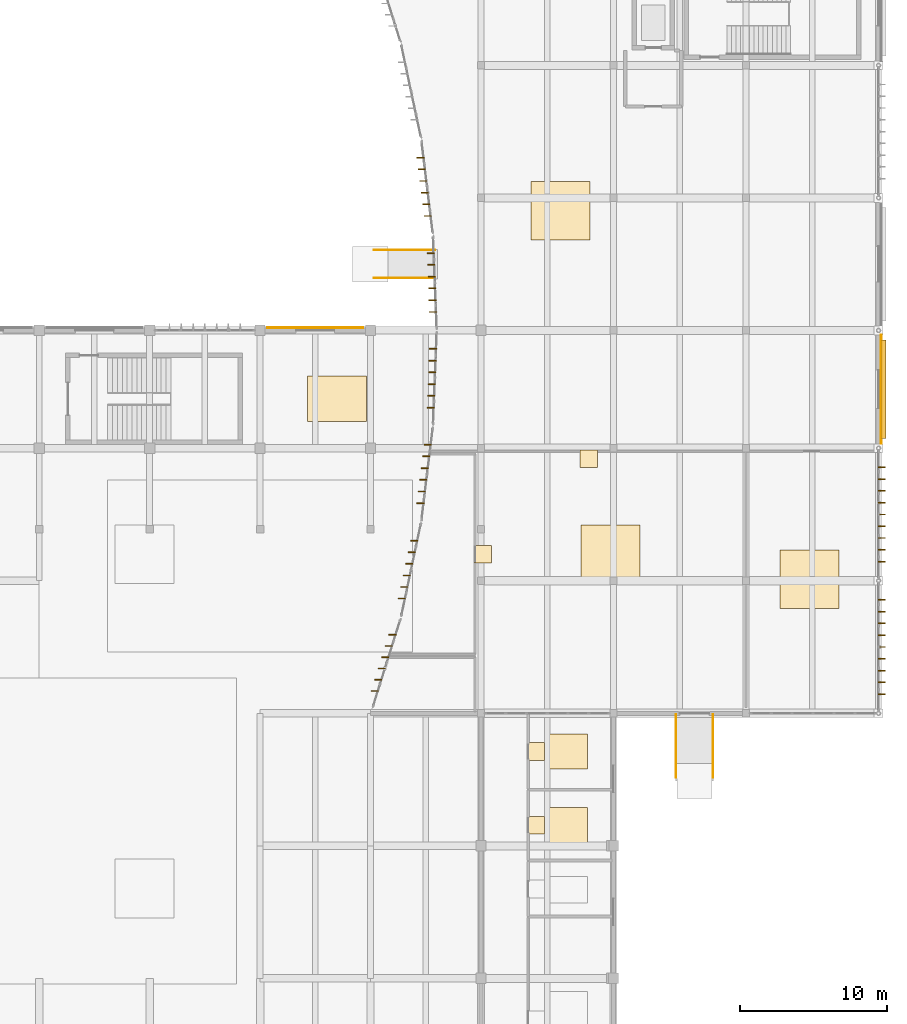
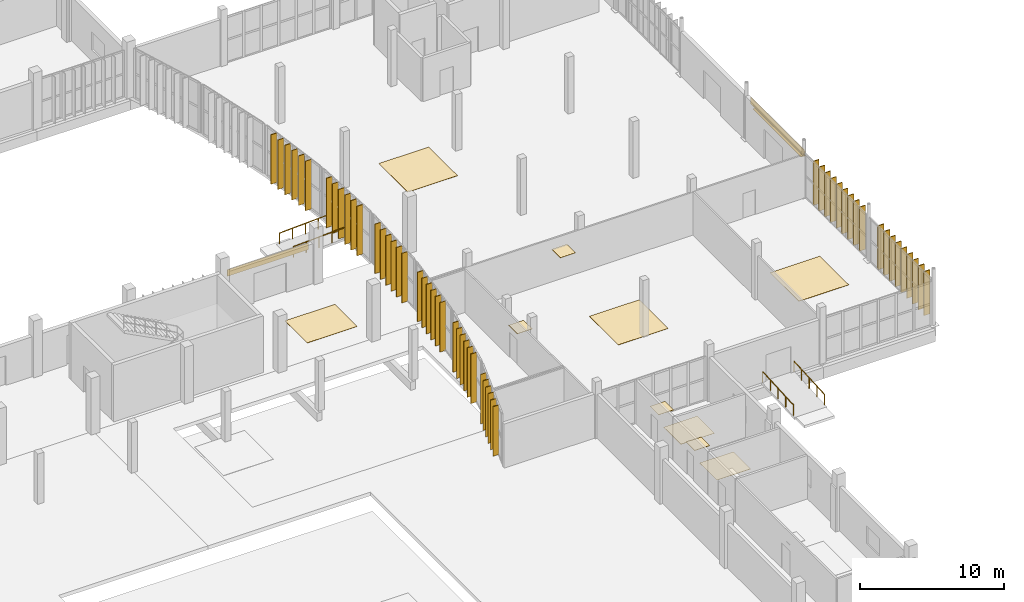
# One storey, part 69 of 72: 56 shading devices, 12 coverings, 4 railings.
"""IFC4 building model written with IfcOpenShell, lengths in metres."""

from ifc_helpers import new_model, si_unit, direction, frame, origin, origin_2d, place, context, subcontext, project, spatial, rectangle, circle, extrude, material, layer, layer_set, material_profile, profile_set, type_object, element, save


model = new_model("IFC4")

# Units and contexts
model_context = context("Model", 3, precision=1e-05, world=origin(), true_north=direction((0.0, 1.0)))
body_context = subcontext(model_context, "Body", "Model", "MODEL_VIEW")
ifc_project = project(units=[si_unit("LENGTHUNIT", "METRE"), si_unit("AREAUNIT", "SQUARE_METRE"), si_unit("VOLUMEUNIT", "CUBIC_METRE"), si_unit("PLANEANGLEUNIT", "RADIAN"), si_unit("MASSUNIT", "GRAM", prefix="KILO")], contexts=[model_context])

# Site, building, storey
site_placement = place(None, origin())
site = spatial("IfcSite", under=ifc_project, at=site_placement, CompositionType="ELEMENT")
building_placement = place(site_placement, origin())
building = spatial("IfcBuilding", under=site, at=building_placement, Name="Vourika Railside Aquatics Centre", CompositionType="ELEMENT")
storey_placement = place(building_placement, origin())
storey = spatial("IfcBuildingStorey", under=building, at=storey_placement, Name="L00", CompositionType="ELEMENT", Elevation=0.0)

# Coverings
ifc_material_1 = material(Name="Perforated moisture-resistant acoustic gypsum ceiling")
ifc_layer_1 = layer(ifc_material_1, 0.02490234375, Name="COV-CEIL-25")
ifc_layer_set_1 = layer_set([ifc_layer_1], Name="Perforated moisture-resistant acoustic gypsum ceiling")
covering_type_1 = type_object("IfcCoveringType", Name="COV-CEIL-25", PredefinedType="CEILING", material=ifc_layer_set_1)
for number, where, z_axis, x_axis, name in (
    (1, (144.719970703125, 32.39990234375, 2.637451171875), (0.0, 0.0, 1.0), (1.0, 0.0, 0.0), "Concourse Public Male WC Acoustic Ceiling Panel"),
    (2, (144.719970703125, 37.3994140625, 2.637451171875), (0.0, 0.0, 1.0), (1.0, 0.0, 0.0), "Concourse Public Female WC Acoustic Ceiling Panel"),
    (3, (141.1201171875, 50.800048828125, 2.637451171875), (0.0, 0.0, 1.0), (1.0, 0.0, 0.0), "Waterside Monsoon Courtyard Cafe Acoustic Ceiling Panel"),
    (4, (148.307861328125, 57.280029296875, 2.637451171875), (0.0, 0.0, 1.0), (1.0, 0.0, 0.0), "Aquatics Swimwear and Gear Shop Acoustic Ceiling Panel"),
):
    element("IfcCovering", number, at=place(storey_placement, frame(where, z_axis=z_axis, x_axis=x_axis)), inside=storey, type_object=covering_type_1, Name=name, PredefinedType="CEILING", context=body_context, shape_type="SweptSolid", body=[
        extrude(rectangle(XDim=1.199951171875, YDim=1.199951171875, at=origin_2d()), origin(), (0.0, 0.0, 1.0), 0.02490234375),
    ])
ifc_material_2 = material(Name="Bronze-anodized aluminium rainscreen", Category="aluminium")
ifc_layer_2 = layer(ifc_material_2, 0.044921875, Name="COV-CLAD-45")
ifc_layer_set_2 = layer_set([ifc_layer_2], Name="Bronze-anodized aluminium rainscreen")
covering_type_2 = type_object("IfcCoveringType", Name="COV-CLAD-45", PredefinedType="CLADDING", material=ifc_layer_set_2)
covering_1_placement = place(storey_placement, frame((129.75, 66.179931640625, 2.7548828125), z_axis=(0.0, 0.0, 1.0), x_axis=(-1.0, 0.0, 0.0)))
element("IfcCovering", 5, at=covering_1_placement, inside=storey, type_object=covering_type_2, Name="Perforated Bronze Rainscreen Band CL-008", PredefinedType="CLADDING", context=body_context, shape_type="SweptSolid", body=[
    extrude(rectangle(XDim=6.5, YDim=0.044921875, at=origin_2d()), origin(), (0.0, 0.0, 1.0), 0.550048828125),
])
covering_2_placement = place(storey_placement, frame((168.179931640625, 62.0, 3.10498046875), z_axis=(0.0, 0.0, 1.0), x_axis=(0.0, 1.0, 0.0)))
element("IfcCovering", 6, at=covering_2_placement, inside=storey, type_object=covering_type_2, Name="Perforated Bronze Rainscreen Band CL-021", PredefinedType="CLADDING", context=body_context, shape_type="SweptSolid", body=[
    extrude(rectangle(XDim=7.427001953125, YDim=0.044921875, at=origin_2d()), origin(), (0.0, 0.0, 1.0), 0.550048828125),
])
ifc_material_3 = material(Name="Slip-resistant aqua ceramic sports flooring")
ifc_layer_3 = layer(ifc_material_3, 0.02001953125, Name="COV-FLOR-20")
ifc_layer_set_3 = layer_set([ifc_layer_3], Name="Slip-resistant aqua ceramic sports flooring")
covering_type_3 = type_object("IfcCoveringType", Name="COV-FLOR-20", PredefinedType="FLOORING", material=ifc_layer_set_3)
for number, where, z_axis, x_axis, name in (
    (7, (146.89990234375, 32.39990234375, 0.0), (0.0, 0.0, 1.0), (1.0, 0.0, 0.0), "Concourse Public Male WC Sports Flooring Panel"),
    (8, (146.89990234375, 37.39990234375, 0.0), (0.0, 0.0, 1.0), (1.0, 0.0, 0.0), "Concourse Public Female WC Sports Flooring Panel"),
):
    element("IfcCovering", number, at=place(storey_placement, frame(where, z_axis=z_axis, x_axis=x_axis)), inside=storey, type_object=covering_type_3, Name=name, PredefinedType="FLOORING", context=body_context, shape_type="SweptSolid", body=[
        extrude(rectangle(XDim=2.699951171875, YDim=2.39990234375, at=origin_2d()), origin(), (0.0, 0.0, 1.0), 0.02001953125),
    ])
covering_3_placement = place(storey_placement, frame((131.219970703125, 61.35009765625, 0.0), z_axis=(0.0, 0.0, 1.0), x_axis=(1.0, 0.0, 0.0)))
element("IfcCovering", 9, at=covering_3_placement, inside=storey, type_object=covering_type_3, Name="North Spectator Entrance Undercroft Concourse Sports Flooring Panel", PredefinedType="FLOORING", context=body_context, shape_type="SweptSolid", body=[
    extrude(rectangle(XDim=4.0, YDim=3.090087890625, at=origin_2d()), origin(), (0.0, 0.0, 1.0), 0.02001953125),
])
for number, where, z_axis, x_axis, name in (
    (10, (146.3876953125, 74.125, 0.0), (0.0, 0.0, 1.0), (1.0, 0.0, 0.0), "Civic Entrance Foyer and Ticket Hall Sports Flooring Panel"),
    (11, (149.800048828125, 50.800048828125, 0.0), (0.0, 0.0, 1.0), (1.0, 0.0, 0.0), "Waterside Monsoon Courtyard Cafe Sports Flooring Panel"),
    (12, (163.300048828125, 49.10009765625, 0.0), (0.0, 0.0, 1.0), (1.0, 0.0, 0.0), "Aquatics Swimwear and Gear Shop Sports Flooring Panel"),
):
    element("IfcCovering", number, at=place(storey_placement, frame(where, z_axis=z_axis, x_axis=x_axis)), inside=storey, type_object=covering_type_3, Name=name, PredefinedType="FLOORING", context=body_context, shape_type="SweptSolid", body=[
        extrude(rectangle(XDim=4.0, YDim=4.0, at=origin_2d()), origin(), (0.0, 0.0, 1.0), 0.02001953125),
    ])

# Railings
ifc_material_4 = material(Name="Duplex stainless steel EN 1.4462", Category="steel")
railing_type = type_object("IfcRailingType", Name="RL-HAND-920", PredefinedType="HANDRAIL", material=ifc_material_4)
for number, where, name in (
    (13, (154.25, 35.64990234375, -0.23681640625), "East Arrival Forecourt Accessible Ramp AR1 Handrail L"),
    (14, (156.75, 35.64990234375, -0.23681640625), "East Arrival Forecourt Accessible Ramp AR1 Handrail R"),
):
    element("IfcRailing", number, at=place(storey_placement, frame(where)), inside=storey, type_object=railing_type, Name=name, PredefinedType="HANDRAIL", context=body_context, shape_type="SweptSolid", body=[
        extrude(circle(Radius=0.02392578125, at=origin_2d()), frame((0.0, 0.0, 0.89599609375), z_axis=(0.0, 0.998598361492, 0.052927426021), x_axis=(-1.0, 0.0, 0.0)), (0.0, 0.0, 1.0), 4.276123046875),
        extrude(circle(Radius=0.02099609375, at=origin_2d()), origin(), (0.0, 0.0, 1.0), 0.871826171875),
        extrude(circle(Radius=0.02099609375, at=origin_2d()), frame((0.0, 1.0673828125, 0.056640625)), (0.0, 0.0, 1.0), 0.871826171875),
        extrude(circle(Radius=0.02099609375, at=origin_2d()), frame((0.0, 2.135009765625, 0.11328125)), (0.0, 0.0, 1.0), 0.871826171875),
        extrude(circle(Radius=0.02099609375, at=origin_2d()), frame((0.0, 3.20263671875, 0.169677734375)), (0.0, 0.0, 1.0), 0.871826171875),
        extrude(circle(Radius=0.02099609375, at=origin_2d()), frame((0.0, 4.27001953125, 0.226318359375)), (0.0, 0.0, 1.0), 0.871826171875),
    ])
for number, where, name in (
    (15, (133.72998046875, 71.449951171875, -0.2080078125), "Monsoon Courtyard Foyer Accessible Ramp AR3 Handrail L"),
    (16, (133.72998046875, 69.550048828125, -0.2080078125), "Monsoon Courtyard Foyer Accessible Ramp AR3 Handrail R"),
):
    element("IfcRailing", number, at=place(storey_placement, frame(where)), inside=storey, type_object=railing_type, Name=name, PredefinedType="HANDRAIL", context=body_context, shape_type="SweptSolid", body=[
        extrude(circle(Radius=0.02392578125, at=origin_2d()), frame((0.0, 0.0, 0.89599609375), z_axis=(0.998847202804, 0.0, 0.048002765022), x_axis=(0.0, 1.0, 0.0)), (0.0, 0.0, 1.0), 4.135009765625),
        extrude(circle(Radius=0.02099609375, at=origin_2d()), origin(), (0.0, 0.0, 1.0), 0.871826171875),
        extrude(circle(Radius=0.02099609375, at=origin_2d()), frame((1.032470703125, 0.0, 0.049560546875)), (0.0, 0.0, 1.0), 0.871826171875),
        extrude(circle(Radius=0.02099609375, at=origin_2d()), frame((2.06494140625, 0.0, 0.09912109375)), (0.0, 0.0, 1.0), 0.871826171875),
        extrude(circle(Radius=0.02099609375, at=origin_2d()), frame((3.09765625, 0.0, 0.14892578125)), (0.0, 0.0, 1.0), 0.871826171875),
        extrude(circle(Radius=0.02099609375, at=origin_2d()), frame((4.130126953125, 0.0, 0.198486328125)), (0.0, 0.0, 1.0), 0.871826171875),
    ])

# Shading devices
ifc_material_5 = material(Name="Bronze-anodized extruded aluminium", Category="aluminium")
ifc_material_profile_1 = material_profile(ifc_material_5, rectangle(XDim=0.06005859375, YDim=0.47998046875, at=origin_2d()), Name="ALU-FIN 60x480")
ifc_profile_set_1 = profile_set([ifc_material_profile_1], Name="Bronze-anodized extruded aluminium")
shading_device_type_1 = type_object("IfcShadingDeviceType", Name="SHD-FIN-F48A", PredefinedType="USERDEFINED", material=ifc_profile_set_1)
for number, where, z_axis, x_axis, name in (
    (17, (168.215087890625, 41.300048828125, 0.0), (0.0, 0.0, 1.0), (0.0, -1.0, 0.0), "Vertical Solar Fin VSF-0367"),
    (18, (168.215087890625, 42.10009765625, 0.0), (0.0, 0.0, 1.0), (0.0, -1.0, 0.0), "Vertical Solar Fin VSF-0368"),
    (19, (168.215087890625, 42.89990234375, 0.0), (0.0, 0.0, 1.0), (0.0, -1.0, 0.0), "Vertical Solar Fin VSF-0369"),
    (20, (168.215087890625, 43.699951171875, 0.0), (0.0, 0.0, 1.0), (0.0, -1.0, 0.0), "Vertical Solar Fin VSF-0370"),
    (21, (168.215087890625, 44.5, 0.0), (0.0, 0.0, 1.0), (0.0, -1.0, 0.0), "Vertical Solar Fin VSF-0371"),
    (22, (168.215087890625, 45.300048828125, 0.0), (0.0, 0.0, 1.0), (0.0, -1.0, 0.0), "Vertical Solar Fin VSF-0372"),
    (23, (168.215087890625, 46.10009765625, 0.0), (0.0, 0.0, 1.0), (0.0, -1.0, 0.0), "Vertical Solar Fin VSF-0373"),
    (24, (168.215087890625, 46.89990234375, 0.0), (0.0, 0.0, 1.0), (0.0, -1.0, 0.0), "Vertical Solar Fin VSF-0374"),
    (25, (168.215087890625, 47.699951171875, 0.0), (0.0, 0.0, 1.0), (0.0, -1.0, 0.0), "Vertical Solar Fin VSF-0375"),
    (26, (168.215087890625, 50.300048828125, 0.0), (0.0, 0.0, 1.0), (0.0, -1.0, 0.0), "Vertical Solar Fin VSF-0376"),
    (27, (168.215087890625, 51.10009765625, 0.0), (0.0, 0.0, 1.0), (0.0, -1.0, 0.0), "Vertical Solar Fin VSF-0377"),
    (28, (168.215087890625, 51.89990234375, 0.0), (0.0, 0.0, 1.0), (0.0, -1.0, 0.0), "Vertical Solar Fin VSF-0378"),
    (29, (168.215087890625, 52.699951171875, 0.0), (0.0, 0.0, 1.0), (0.0, -1.0, 0.0), "Vertical Solar Fin VSF-0379"),
    (30, (168.215087890625, 53.5, 0.0), (0.0, 0.0, 1.0), (0.0, -1.0, 0.0), "Vertical Solar Fin VSF-0380"),
    (31, (168.215087890625, 54.300048828125, 0.0), (0.0, 0.0, 1.0), (0.0, -1.0, 0.0), "Vertical Solar Fin VSF-0381"),
    (32, (168.215087890625, 55.10009765625, 0.0), (0.0, 0.0, 1.0), (0.0, -1.0, 0.0), "Vertical Solar Fin VSF-0382"),
    (33, (168.215087890625, 55.89990234375, 0.0), (0.0, 0.0, 1.0), (0.0, -1.0, 0.0), "Vertical Solar Fin VSF-0383"),
    (34, (168.215087890625, 56.699951171875, 0.0), (0.0, 0.0, 1.0), (0.0, -1.0, 0.0), "Vertical Solar Fin VSF-0384"),
):
    element("IfcShadingDevice", number, at=place(storey_placement, frame(where, z_axis=z_axis, x_axis=x_axis)), inside=storey, type_object=shading_device_type_1, Name=name, ObjectType="FIN", PredefinedType="USERDEFINED", context=body_context, shape_type="SweptSolid", body=[
        extrude(rectangle(XDim=0.06005859375, YDim=0.47998046875, at=origin_2d()), origin(), (0.0, 0.0, 1.0), 3.72998046875),
    ])
ifc_material_profile_2 = material_profile(ifc_material_5, rectangle(XDim=0.06005859375, YDim=0.47998046875, at=origin_2d()), Name="ALU-FIN 60x480")
ifc_profile_set_2 = profile_set([ifc_material_profile_2], Name="Bronze-anodized extruded aluminium")
shading_device_type_2 = type_object("IfcShadingDeviceType", Name="SHD-FIN-F48B", PredefinedType="USERDEFINED", material=ifc_profile_set_2)
for number, where, z_axis, x_axis, name in (
    (35, (133.78955078125, 41.51220703125, 0.0), (0.0, 0.0, 1.0), (0.0, 1.0, 0.0), "Vertical Solar Fin VSF-0319"),
    (36, (134.029541015625, 42.275390625, 0.0), (0.0, 0.0, 1.0), (0.0, 1.0, 0.0), "Vertical Solar Fin VSF-0320"),
    (37, (134.26953125, 43.038330078125, 0.0), (0.0, 0.0, 1.0), (0.0, 1.0, 0.0), "Vertical Solar Fin VSF-0321"),
    (38, (134.509521484375, 43.801513671875, 0.0), (0.0, 0.0, 1.0), (0.0, 1.0, 0.0), "Vertical Solar Fin VSF-0322"),
    (39, (134.74951171875, 44.564697265625, 0.0), (0.0, 0.0, 1.0), (0.0, 1.0, 0.0), "Vertical Solar Fin VSF-0323"),
    (40, (134.989501953125, 45.327880859375, 0.0), (0.0, 0.0, 1.0), (0.0, 1.0, 0.0), "Vertical Solar Fin VSF-0324"),
    (41, (135.6318359375, 47.793701171875, 0.0), (0.0, 0.0, 1.0), (0.0, 1.0, 0.0), "Vertical Solar Fin VSF-0325"),
    (42, (135.7978515625, 48.576171875, 0.0), (0.0, 0.0, 1.0), (0.0, 1.0, 0.0), "Vertical Solar Fin VSF-0326"),
    (43, (135.964111328125, 49.358642578125, 0.0), (0.0, 0.0, 1.0), (0.0, 1.0, 0.0), "Vertical Solar Fin VSF-0327"),
    (44, (136.1298828125, 50.141357421875, 0.0), (0.0, 0.0, 1.0), (0.0, 1.0, 0.0), "Vertical Solar Fin VSF-0328"),
    (45, (136.296142578125, 50.923828125, 0.0), (0.0, 0.0, 1.0), (0.0, 1.0, 0.0), "Vertical Solar Fin VSF-0329"),
    (46, (136.462158203125, 51.706298828125, 0.0), (0.0, 0.0, 1.0), (0.0, 1.0, 0.0), "Vertical Solar Fin VSF-0330"),
    (47, (136.890625, 54.264892578125, 0.0), (0.0, 0.0, 1.0), (0.0, 1.0, 0.0), "Vertical Solar Fin VSF-0331"),
    (48, (136.98779296875, 55.058837890625, 0.0), (0.0, 0.0, 1.0), (0.0, 1.0, 0.0), "Vertical Solar Fin VSF-0332"),
    (49, (137.0849609375, 55.85302734375, 0.0), (0.0, 0.0, 1.0), (0.0, 1.0, 0.0), "Vertical Solar Fin VSF-0333"),
    (50, (137.18212890625, 56.64697265625, 0.0), (0.0, 0.0, 1.0), (0.0, 1.0, 0.0), "Vertical Solar Fin VSF-0334"),
    (51, (137.279296875, 57.441162109375, 0.0), (0.0, 0.0, 1.0), (0.0, 1.0, 0.0), "Vertical Solar Fin VSF-0335"),
    (52, (137.37646484375, 58.235107421875, 0.0), (0.0, 0.0, 1.0), (0.0, 1.0, 0.0), "Vertical Solar Fin VSF-0336"),
    (53, (137.58056640625, 60.751708984375, 0.0), (0.0, 0.0, 1.0), (0.0, 1.0, 0.0), "Vertical Solar Fin VSF-0337"),
    (54, (137.612548828125, 61.551025390625, 0.0), (0.0, 0.0, 1.0), (0.0, 1.0, 0.0), "Vertical Solar Fin VSF-0338"),
    (55, (137.64453125, 62.350341796875, 0.0), (0.0, 0.0, 1.0), (0.0, 1.0, 0.0), "Vertical Solar Fin VSF-0339"),
    (56, (137.676513671875, 63.149658203125, 0.0), (0.0, 0.0, 1.0), (0.0, 1.0, 0.0), "Vertical Solar Fin VSF-0340"),
    (57, (137.70849609375, 63.948974609375, 0.0), (0.0, 0.0, 1.0), (0.0, 1.0, 0.0), "Vertical Solar Fin VSF-0341"),
    (58, (137.740478515625, 64.748291015625, 0.0), (0.0, 0.0, 1.0), (0.0, 1.0, 0.0), "Vertical Solar Fin VSF-0342"),
    (59, (137.740478515625, 67.251708984375, 0.0), (0.0, 0.0, 1.0), (0.0, 1.0, 0.0), "Vertical Solar Fin VSF-0343"),
    (60, (137.70849609375, 68.051025390625, 0.0), (0.0, 0.0, 1.0), (0.0, 1.0, 0.0), "Vertical Solar Fin VSF-0344"),
    (61, (137.676513671875, 68.850341796875, 0.0), (0.0, 0.0, 1.0), (0.0, 1.0, 0.0), "Vertical Solar Fin VSF-0345"),
    (62, (137.64453125, 69.649658203125, 0.0), (0.0, 0.0, 1.0), (0.0, 1.0, 0.0), "Vertical Solar Fin VSF-0346"),
    (63, (137.612548828125, 70.448974609375, 0.0), (0.0, 0.0, 1.0), (0.0, 1.0, 0.0), "Vertical Solar Fin VSF-0347"),
    (64, (137.58056640625, 71.248291015625, 0.0), (0.0, 0.0, 1.0), (0.0, 1.0, 0.0), "Vertical Solar Fin VSF-0348"),
    (65, (137.37646484375, 73.764892578125, 0.0), (0.0, 0.0, 1.0), (0.0, 1.0, 0.0), "Vertical Solar Fin VSF-0349"),
    (66, (137.279296875, 74.558837890625, 0.0), (0.0, 0.0, 1.0), (0.0, 1.0, 0.0), "Vertical Solar Fin VSF-0350"),
    (67, (137.18212890625, 75.35302734375, 0.0), (0.0, 0.0, 1.0), (0.0, 1.0, 0.0), "Vertical Solar Fin VSF-0351"),
    (68, (137.0849609375, 76.14697265625, 0.0), (0.0, 0.0, 1.0), (0.0, 1.0, 0.0), "Vertical Solar Fin VSF-0352"),
    (69, (136.98779296875, 76.941162109375, 0.0), (0.0, 0.0, 1.0), (0.0, 1.0, 0.0), "Vertical Solar Fin VSF-0353"),
    (70, (136.890625, 77.735107421875, 0.0), (0.0, 0.0, 1.0), (0.0, 1.0, 0.0), "Vertical Solar Fin VSF-0354"),
):
    element("IfcShadingDevice", number, at=place(storey_placement, frame(where, z_axis=z_axis, x_axis=x_axis)), inside=storey, type_object=shading_device_type_2, Name=name, ObjectType="FIN", PredefinedType="USERDEFINED", context=body_context, shape_type="SweptSolid", body=[
        extrude(rectangle(XDim=0.06005859375, YDim=0.47998046875, at=origin_2d()), origin(), (0.0, 0.0, 1.0), 4.199951171875),
    ])
ifc_material_profile_3 = material_profile(ifc_material_5, rectangle(XDim=0.050048828125, YDim=0.360107421875, at=origin_2d()), Name="ALU-LOUVRE 50x360")
ifc_profile_set_3 = profile_set([ifc_material_profile_3], Name="Bronze-anodized extruded aluminium")
shading_device_type_3 = type_object("IfcShadingDeviceType", Name="SHD-SUN-360", PredefinedType="USERDEFINED", material=ifc_profile_set_3)
for number, where, z_axis, x_axis, name in (
    (71, (168.330078125, 58.64990234375, 2.85009765625), (0.0, 1.0, 0.0), (0.0, 0.0, -1.0), "Entrance Canopy Sunshade Blade SS-385"),
    (72, (168.330078125, 58.64990234375, 3.1298828125), (0.0, 1.0, 0.0), (0.0, 0.0, -1.0), "Entrance Canopy Sunshade Blade SS-386"),
):
    element("IfcShadingDevice", number, at=place(storey_placement, frame(where, z_axis=z_axis, x_axis=x_axis)), inside=storey, type_object=shading_device_type_3, Name=name, ObjectType="SUNSHADE", PredefinedType="USERDEFINED", context=body_context, shape_type="SweptSolid", body=[
        extrude(rectangle(XDim=0.050048828125, YDim=0.360107421875, at=origin_2d()), origin(), (0.0, 0.0, 1.0), 6.7001953125),
    ])

save(model, "model.ifc")
